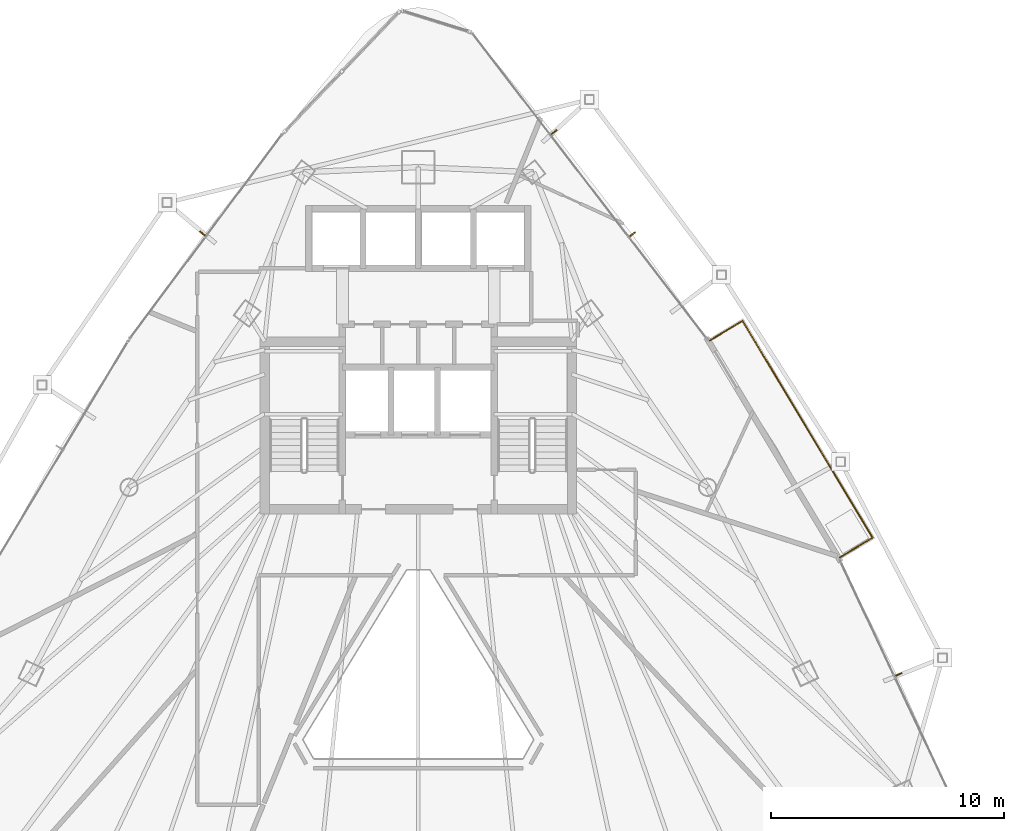
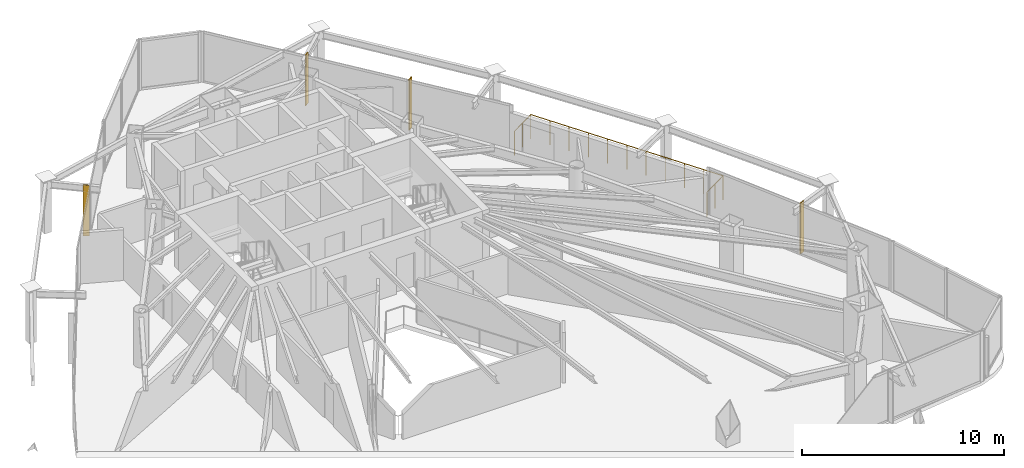
# One storey, part 31 of 31: 4 shading devices, 1 railing.
"""IFC4 building model written with IfcOpenShell, lengths in metres."""

from ifc_helpers import new_model, si_unit, direction, frame, origin, origin_2d, place, context, subcontext, project, spatial, rectangle, circle, extrude, material, layer, layer_set, type_object, element, save


model = new_model("IFC4")

# Units and contexts
model_context = context("Model", 3, precision=1e-05, world=origin(), true_north=direction((0.0, 1.0)))
body_context = subcontext(model_context, "Body", "Model", "MODEL_VIEW")
ifc_project = project(units=[si_unit("LENGTHUNIT", "METRE"), si_unit("AREAUNIT", "SQUARE_METRE"), si_unit("VOLUMEUNIT", "CUBIC_METRE"), si_unit("PLANEANGLEUNIT", "RADIAN"), si_unit("MASSUNIT", "GRAM", prefix="KILO")], contexts=[model_context])

# Site, building, storey
site_placement = place(None, origin())
site = spatial("IfcSite", under=ifc_project, at=site_placement, CompositionType="ELEMENT")
building_placement = place(site_placement, origin())
building = spatial("IfcBuilding", under=site, at=building_placement, Name="Orvanel Arch Residences", CompositionType="ELEMENT")
storey_placement = place(building_placement, frame((0.0, 0.0, 157.25)))
storey = spatial("IfcBuildingStorey", under=building, at=storey_placement, Name="L44", CompositionType="ELEMENT", Elevation=157.25)

# Shading devices
ifc_material = material(Name="Bronze-anodised aluminium AA6063-T6", Category="aluminium")
ifc_layer = layer(ifc_material, 0.054931640625)
ifc_layer_set = layer_set([ifc_layer], Name="Bronze-anodised aluminium AA6063-T6")
shading_device_type = type_object("IfcShadingDeviceType", Name="FIN-BRZ-320", PredefinedType="USERDEFINED", material=ifc_layer_set)
for number, where, z_axis, x_axis, name in (
    (1, (23.73095703125, 38.5390625, 0.0), (0.0, 0.0, 1.0), (-0.801775644244, 0.597625146976, 0.0), "L44 Anodised Bronze Mullion FIN 01"),
    (2, (53.633056640625, 19.593994140625, 0.0), (0.0, 0.0, 1.0), (0.904827052466, 0.425779291565, 0.0), "L44 Anodised Bronze Mullion FIN 01"),
    (3, (42.197998046875, 38.507080078125, 0.0), (0.0, 0.0, 1.0), (0.793353340291, 0.608761429009, 0.0), "L44 Anodised Bronze Mullion FIN 01"),
    (4, (38.826904296875, 42.89794921875, 0.0), (0.0, 0.0, 1.0), (0.793353340291, 0.608761429009, 0.0), "L44 Anodised Bronze Mullion FIN 02"),
):
    element("IfcShadingDevice", number, at=place(storey_placement, frame(where, z_axis=z_axis, x_axis=x_axis)), inside=storey, type_object=shading_device_type, Name=name, ObjectType="FIN", PredefinedType="USERDEFINED", context=body_context, shape_type="SweptSolid", body=[
        extrude(rectangle(XDim=0.320068359375, YDim=0.054931640625, at=origin_2d()), origin(), (0.0, 0.0, 1.0), 3.06005859375),
    ])

# Railing
railing_type = type_object("IfcRailingType", Name="RL-BAL-1480", PredefinedType="BALUSTRADE", material=ifc_material)
railing_placement = place(storey_placement, frame((51.114990234375, 24.6279296875, 0.0)))
element("IfcRailing", 5, at=railing_placement, inside=storey, type_object=railing_type, Name="L44 Balcony Perimeter Guardrail Face 3", PredefinedType="BALUSTRADE", context=body_context, shape_type="SweptSolid", body=[
    extrude(circle(Radius=0.02392578125, at=origin_2d()), frame((0.001220703125, 0.000732421875, 1.4560546875), z_axis=(0.857545439568, 0.514408222208, 0.0), x_axis=(-0.514408222208, 0.857545439568, 0.0)), (0.0, 0.0, 1.0), 1.6376953125),
    extrude(circle(Radius=0.02392578125, at=origin_2d()), frame((1.40625, 0.84521484375, 1.4560546875), z_axis=(-0.514403245511, 0.857548424876, 0.0), x_axis=(-0.857548424876, -0.514403245511, 0.0)), (0.0, 0.0, 1.0), 10.864013671875),
    extrude(circle(Radius=0.02392578125, at=origin_2d()), frame((-4.184326171875, 10.162353515625, 1.4560546875), z_axis=(-0.857387817543, -0.514670895164, 0.0), x_axis=(0.514670895164, -0.857387817543, 0.0)), (0.0, 0.0, 1.0), 1.636962890625),
    extrude(circle(Radius=0.02099609375, at=origin_2d()), origin(), (0.0, 0.0, 1.0), 1.429931640625),
    extrude(circle(Radius=0.02099609375, at=origin_2d()), frame((0.70361328125, 0.421875, 0.0)), (0.0, 0.0, 1.0), 1.429931640625),
    extrude(circle(Radius=0.02099609375, at=origin_2d()), frame((1.406982421875, 0.843994140625, 0.0)), (0.0, 0.0, 1.0), 1.429931640625),
    extrude(circle(Radius=0.02099609375, at=origin_2d()), frame((0.847900390625, 1.77587890625, 0.0)), (0.0, 0.0, 1.0), 1.429931640625),
    extrude(circle(Radius=0.02099609375, at=origin_2d()), frame((0.2890625, 2.707763671875, 0.0)), (0.0, 0.0, 1.0), 1.429931640625),
    extrude(circle(Radius=0.02099609375, at=origin_2d()), frame((-0.27001953125, 3.6396484375, 0.0)), (0.0, 0.0, 1.0), 1.429931640625),
    extrude(circle(Radius=0.02099609375, at=origin_2d()), frame((-0.8291015625, 4.571533203125, 0.0)), (0.0, 0.0, 1.0), 1.429931640625),
    extrude(circle(Radius=0.02099609375, at=origin_2d()), frame((-1.38818359375, 5.50341796875, 0.0)), (0.0, 0.0, 1.0), 1.429931640625),
    extrude(circle(Radius=0.02099609375, at=origin_2d()), frame((-1.947021484375, 6.435546875, 0.0)), (0.0, 0.0, 1.0), 1.429931640625),
    extrude(circle(Radius=0.02099609375, at=origin_2d()), frame((-2.506103515625, 7.367431640625, 0.0)), (0.0, 0.0, 1.0), 1.429931640625),
    extrude(circle(Radius=0.02099609375, at=origin_2d()), frame((-3.065185546875, 8.29931640625, 0.0)), (0.0, 0.0, 1.0), 1.429931640625),
    extrude(circle(Radius=0.02099609375, at=origin_2d()), frame((-3.6240234375, 9.231201171875, 0.0)), (0.0, 0.0, 1.0), 1.429931640625),
    extrude(circle(Radius=0.02099609375, at=origin_2d()), frame((-4.18310546875, 10.1630859375, 0.0)), (0.0, 0.0, 1.0), 1.429931640625),
    extrude(circle(Radius=0.02099609375, at=origin_2d()), frame((-4.88623046875, 9.7412109375, 0.0)), (0.0, 0.0, 1.0), 1.429931640625),
    extrude(circle(Radius=0.02099609375, at=origin_2d()), frame((-5.589111328125, 9.319091796875, 0.0)), (0.0, 0.0, 1.0), 1.429931640625),
])

save(model, "model.ifc")
